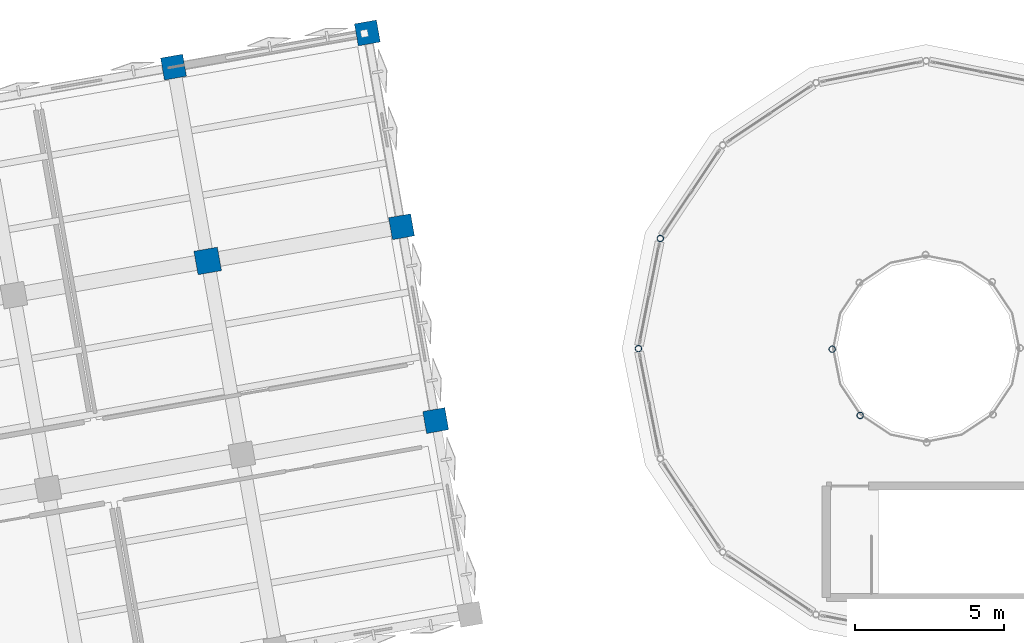
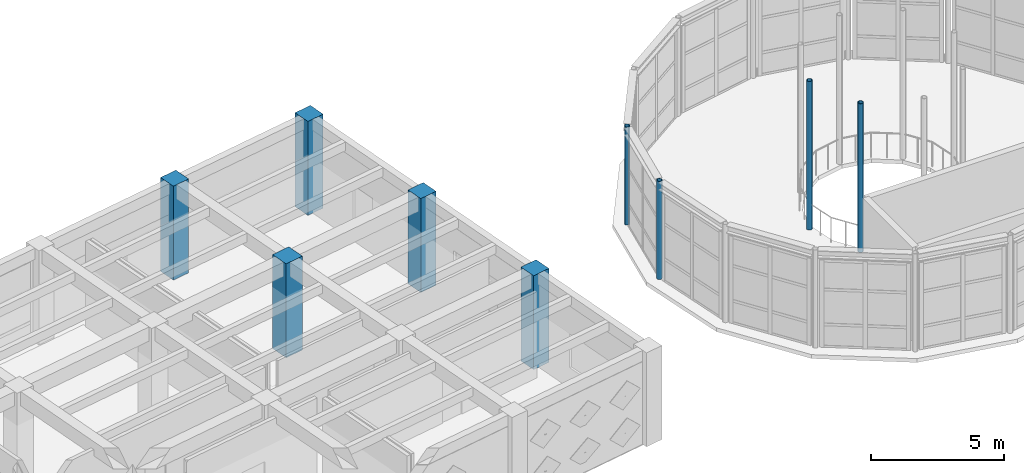
# One storey, part 3 of 80: 9 columns.
"""IFC4 building model written with IfcOpenShell, lengths in metres."""

import ifcopenshell
import ifcopenshell.guid

model = None  # the IFC model being written
_history = None  # IfcOwnerHistory: only IFC2X3 demands one
_inside = {}  # id of a spatial element -> (the spatial element, [elements in it])
_under = {}  # id of a project, library or spatial element -> (it, [spatial elements below it])
_declared = {}  # id of a project -> (the project, [libraries it declares])
_typed = {}  # id of a type object -> (the type object, [elements of that type])
_made_of = {}  # id of a material, layer set ... -> (it, [elements and type objects made of it])


def new_model(schema):
    """Start an empty IFC model of exactly this schema.

    Asked for "IFC4X3", IfcOpenShell would pick the latest addendum, in which some entities
    have other attributes; the version numbers below select the first issue.
    IFC2X3 requires an IfcOwnerHistory on every rooted entity: one is made here for all.
    """
    global model, _history
    if schema == "IFC4X3":
        model = ifcopenshell.file(schema_version=(4, 3, 0, 0))
    else:
        model = ifcopenshell.file(schema=schema)
    _inside.clear()
    _under.clear()
    _declared.clear()
    _typed.clear()
    _made_of.clear()
    _history = None
    if model.schema == "IFC2X3":
        org = make("IfcOrganization", Name="unknown")
        user = make(
            "IfcPersonAndOrganization",
            ThePerson=make("IfcPerson", FamilyName="unknown"),
            TheOrganization=org,
        )
        app = make(
            "IfcApplication",
            ApplicationDeveloper=org,
            Version="unknown",
            ApplicationFullName="unknown",
            ApplicationIdentifier="unknown",
        )
        _history = make(
            "IfcOwnerHistory",
            OwningUser=user,
            OwningApplication=app,
            ChangeAction="ADDED",
            CreationDate=0,
        )
    return model


def make(cls, **values):
    """One entity of the class cls with the attributes given. An attribute that is None is left unset."""
    return model.create_entity(
        cls, **{name: value for name, value in values.items() if value is not None}
    )


def rooted(cls, **values):
    """An entity with a GlobalId (a new one), such as an element, a storey or a relation."""
    return make(cls, GlobalId=ifcopenshell.guid.new(), OwnerHistory=_history, **values)


def si_unit(unit_type, name, prefix=None):
    """IfcSIUnit, for example si_unit("LENGTHUNIT", "METRE", prefix="MILLI")."""
    return make("IfcSIUnit", UnitType=unit_type, Prefix=prefix, Name=name)


def assignment(units):
    """IfcUnitAssignment: the units of a project."""
    return None if units is None else make("IfcUnitAssignment", Units=units)


def point(xyz):
    """IfcCartesianPoint."""
    return None if xyz is None else make("IfcCartesianPoint", Coordinates=xyz)


def direction(xyz):
    """IfcDirection."""
    return None if xyz is None else make("IfcDirection", DirectionRatios=xyz)


def frame(location, z_axis=None, x_axis=None):
    """IfcAxis2Placement3D, a coordinate frame: its origin and axes. An axis left out is left unset."""
    return make(
        "IfcAxis2Placement3D",
        Location=point(location),
        Axis=direction(z_axis),
        RefDirection=direction(x_axis),
    )


def frame_2d(location, x_axis=None):
    """IfcAxis2Placement2D, a coordinate frame in the plane: its origin and x axis."""
    return make(
        "IfcAxis2Placement2D", Location=point(location), RefDirection=direction(x_axis)
    )


def origin():
    """The frame at (0, 0, 0) with its axes left unset."""
    return frame((0.0, 0.0, 0.0))


def origin_2d():
    """The frame at (0, 0) in the plane with its x axis left unset."""
    return frame_2d((0.0, 0.0))


def place(relative_to, where):
    """IfcLocalPlacement: puts the frame where relative to a parent placement (None: the world)."""
    return make(
        "IfcLocalPlacement", PlacementRelTo=relative_to, RelativePlacement=where
    )


def context(
    kind, dimensions, precision=None, world=None, true_north=None, identifier=None
):
    """IfcGeometricRepresentationContext, for example the 3D "Model" context."""
    return make(
        "IfcGeometricRepresentationContext",
        ContextIdentifier=identifier,
        ContextType=kind,
        CoordinateSpaceDimension=dimensions,
        Precision=precision,
        WorldCoordinateSystem=world,
        TrueNorth=true_north,
    )


def subcontext(parent, identifier, kind, view, scale=None):
    """IfcGeometricRepresentationSubContext, for example "Body" below "Model"."""
    return make(
        "IfcGeometricRepresentationSubContext",
        ContextIdentifier=identifier,
        ContextType=kind,
        ParentContext=parent,
        TargetScale=scale,
        TargetView=view,
    )


def project(units=None, contexts=None):
    """IfcProject with its units and contexts."""
    return rooted(
        "IfcProject",
        Name="project",
        RepresentationContexts=contexts,
        UnitsInContext=assignment(units),
    )


def spatial(cls, under=None, at=None, **own):
    """A site, building, storey or space (cls), placed at a placement, below another one or the project."""
    s = rooted(cls, ObjectPlacement=at, **own)
    if under is not None:
        _under.setdefault(under.id(), (under, []))[1].append(s)
    return s


def profile(cls, at=None, kind="AREA", **sizes):
    """A parametric profile (cls). Its sizes go by their IFC names, for example OverallWidth=200.0."""
    return make(cls, ProfileType=kind, Position=at, **sizes)


def rectangle(**sizes):
    """IfcRectangleProfileDef."""
    return profile("IfcRectangleProfileDef", **sizes)


def hollow_circle(**sizes):
    """IfcCircleHollowProfileDef."""
    return profile("IfcCircleHollowProfileDef", **sizes)


def extrude(swept, where, along, depth):
    """IfcExtrudedAreaSolid: the profile swept, set in the frame where, extruded along a direction by depth."""
    return make(
        "IfcExtrudedAreaSolid",
        SweptArea=swept,
        Position=where,
        ExtrudedDirection=direction(along),
        Depth=depth,
    )


def shape(context_of_items, identifier, shape_type, items):
    """IfcShapeRepresentation: the items that make up one representation, for example the "Body"."""
    return make(
        "IfcShapeRepresentation",
        ContextOfItems=context_of_items,
        RepresentationIdentifier=identifier,
        RepresentationType=shape_type,
        Items=items,
    )


def material(Name=None, Category=None):
    """IfcMaterial."""
    return make("IfcMaterial", Name=Name, Category=Category)


def material_profile(
    of_material, cross_section, Name=None, Category=None, Priority=None
):
    """IfcMaterialProfile: a cross section and its material."""
    return make(
        "IfcMaterialProfile",
        Name=Name,
        Material=of_material,
        Profile=cross_section,
        Priority=Priority,
        Category=Category,
    )


def profile_set(profiles, Name=None, composite=None):
    """IfcMaterialProfileSet."""
    return make(
        "IfcMaterialProfileSet",
        Name=Name,
        MaterialProfiles=profiles,
        CompositeProfile=composite,
    )


def made_of(thing, what):
    """Note that an element or type object is made of a material, layer set ...; save() writes the relation."""
    if what is not None:
        _made_of.setdefault(what.id(), (what, []))[1].append(thing)
    return thing


def type_object(cls, material=None, **own):
    """A type object (cls), such as IfcWallType, which elements share."""
    return made_of(rooted(cls, **own), material)


def element(
    cls,
    number,
    at=None,
    inside=None,
    cuts=None,
    type_object=None,
    material=None,
    context=None,
    identifier="Body",
    shape_type=None,
    held_by="IfcProductDefinitionShape",
    body=None,
    shapes=None,
    **own,
):
    """One element of the class cls, such as IfcWall. Its Tag is "e" and its number.

    at: its placement. inside: the storey or other place that contains it. cuts: it is an
    opening in that element (IfcRelVoidsElement). A single representation is given by context,
    identifier, shape_type and body (its items); several are given by shapes. held_by: the class
    of the entity that holds the representations. save() writes the other relations.
    """
    e = rooted(cls, Tag="e%d" % number, ObjectPlacement=at, **own)
    if body is not None:
        shapes = [shape(context, identifier, shape_type, body)]
    if shapes is not None:
        e.Representation = make(held_by, Representations=shapes)
    if inside is not None:
        _inside.setdefault(inside.id(), (inside, []))[1].append(e)
    if cuts is not None:
        rooted(
            "IfcRelVoidsElement", RelatingBuildingElement=cuts, RelatedOpeningElement=e
        )
    if type_object is not None:
        _typed.setdefault(type_object.id(), (type_object, []))[1].append(e)
    return made_of(e, material)


def aggregate(whole, parts):
    """IfcRelAggregates: a whole, such as a stair, and the parts it consists of."""
    return rooted("IfcRelAggregates", RelatingObject=whole, RelatedObjects=parts)


def save(model, path):
    """Write the relations noted so far, then the file.

    IfcRelAggregates (storeys below a building ...), IfcRelContainedInSpatialStructure (elements
    in a storey), IfcRelDefinesByType, IfcRelAssociatesMaterial and IfcRelDeclares: one each for
    every whole, place, type object, material and project.
    """
    for whole, parts in _under.values():
        aggregate(whole, parts)
    for where, things in _inside.values():
        rooted(
            "IfcRelContainedInSpatialStructure",
            RelatedElements=things,
            RelatingStructure=where,
        )
    for kind, things in _typed.values():
        rooted("IfcRelDefinesByType", RelatedObjects=things, RelatingType=kind)
    for what, things in _made_of.values():
        rooted("IfcRelAssociatesMaterial", RelatedObjects=things, RelatingMaterial=what)
    for by, libraries in _declared.values():
        rooted("IfcRelDeclares", RelatingContext=by, RelatedDefinitions=libraries)
    model.write(path)


model = new_model("IFC4")

# Units and contexts
model_context = context("Model", 3, precision=1e-05, world=origin(), true_north=direction((0.0, 1.0)))
body_context = subcontext(model_context, "Body", "Model", "MODEL_VIEW")
ifc_project = project(units=[si_unit("LENGTHUNIT", "METRE"), si_unit("AREAUNIT", "SQUARE_METRE"), si_unit("VOLUMEUNIT", "CUBIC_METRE"), si_unit("PLANEANGLEUNIT", "RADIAN"), si_unit("MASSUNIT", "GRAM", prefix="KILO")], contexts=[model_context])

# Site, building, storey
site_placement = place(None, origin())
site = spatial("IfcSite", under=ifc_project, at=site_placement, CompositionType="ELEMENT")
building_placement = place(site_placement, origin())
building = spatial("IfcBuilding", under=site, at=building_placement, Name="Kharisveld Research Institute", CompositionType="ELEMENT")
storey_placement = place(building_placement, frame((0.0, 0.0, 5.10009765625)))
storey = spatial("IfcBuildingStorey", under=building, at=storey_placement, Name="L01", CompositionType="ELEMENT", Elevation=5.10009765625)

# Columns
ifc_material_1 = material(Name="Concrete C50/60", Category="concrete")
ifc_material_profile_1 = material_profile(ifc_material_1, rectangle(XDim=0.75, YDim=0.75, at=origin_2d()))
ifc_profile_set_1 = profile_set([ifc_material_profile_1], Name="Concrete C50/60")
column_type_1 = type_object("IfcColumnType", Name="COL_RC_750", PredefinedType="COLUMN", material=ifc_profile_set_1)
for number, where, z_axis, x_axis, name in (
    (1, (34.260498046875, 60.239501953125, 0.0), (0.0, 0.0, 1.0), (0.984807753012, 0.173648177667, 0.0), "COL:V1:L01:U5V3"),
    (2, (43.05224609375, 48.38623046875, 0.0), (0.0, 0.0, 1.0), (0.984807753012, 0.173648177667, 0.0), "COL:V1:L01:U6V1"),
    (3, (41.90625, 54.885986328125, 0.0), (0.0, 0.0, 1.0), (0.984807753012, 0.173648177667, 0.0), "COL:V1:L01:U6V2"),
    (4, (40.76025390625, 61.3857421875, 0.0), (0.0, 0.0, 1.0), (0.984807753012, 0.173648177667, 0.0), "COL:V1:L01:U6V3"),
):
    element("IfcColumn", number, at=place(storey_placement, frame(where, z_axis=z_axis, x_axis=x_axis)), inside=storey, type_object=column_type_1, Name=name, PredefinedType="COLUMN", context=body_context, shape_type="SweptSolid", body=[
        extrude(rectangle(XDim=0.75, YDim=0.75, at=origin_2d()), origin(), (0.0, 0.0, 1.0), 4.309814453125),
    ])
ifc_material_2 = material(Name="Concrete C50/60", Category="concrete")
ifc_material_profile_2 = material_profile(ifc_material_2, rectangle(XDim=0.800048828125, YDim=0.800048828125, at=origin_2d()))
ifc_profile_set_2 = profile_set([ifc_material_profile_2], Name="Concrete C50/60")
column_type_2 = type_object("IfcColumnType", Name="COL_RC_800", PredefinedType="COLUMN", material=ifc_profile_set_2)
column_placement = place(storey_placement, frame((35.406494140625, 53.73974609375, 0.0), z_axis=(0.0, 0.0, 1.0), x_axis=(0.984807753012, 0.173648177667, 0.0)))
element("IfcColumn", 5, at=column_placement, inside=storey, type_object=column_type_2, Name="COL:V1:L01:U5V2", PredefinedType="COLUMN", context=body_context, shape_type="SweptSolid", body=[
    extrude(rectangle(XDim=0.800048828125, YDim=0.800048828125, at=origin_2d()), origin(), (0.0, 0.0, 1.0), 4.309814453125),
])
ifc_material_3 = material(Name="Steel S355J2H", Category="steel")
ifc_material_profile_3 = material_profile(ifc_material_3, hollow_circle(Radius=0.109619140625, WallThickness=0.010009765625, at=origin_2d()))
ifc_profile_set_3 = profile_set([ifc_material_profile_3], Name="Steel S355J2H")
column_type_3 = type_object("IfcColumnType", Name="COL_ST_CHS219", PredefinedType="COLUMN", material=ifc_profile_set_3)
for number, where, z_axis, x_axis, name in (
    (6, (50.58447265625, 54.492919921875, 0.0), (0.0, 0.0, 1.0), (1.0, 0.0, 0.0), "COL:V6:L01:R07"),
    (7, (49.85009765625, 50.800048828125, 0.0), (0.0, 0.0, 1.0), (1.0, 0.0, 0.0), "COL:V6:L01:R08"),
):
    element("IfcColumn", number, at=place(storey_placement, frame(where, z_axis=z_axis, x_axis=x_axis)), inside=storey, type_object=column_type_3, Name=name, PredefinedType="COLUMN", context=body_context, shape_type="SweptSolid", body=[
        extrude(hollow_circle(Radius=0.109619140625, WallThickness=0.010009765625, at=origin_2d()), origin(), (0.0, 0.0, 1.0), 4.5),
    ])
for number, where, z_axis, x_axis, name in (
    (8, (56.35009765625, 50.78076171875, 0.0), (0.0, 0.0, 1.0), (1.0, 0.0, 0.0), "COL:V6:L01:OC08"),
    (9, (57.286376953125, 48.55908203125, 0.0), (0.0, 0.0, 1.0), (1.0, 0.0, 0.0), "COL:V6:L01:OC10"),
):
    element("IfcColumn", number, at=place(storey_placement, frame(where, z_axis=z_axis, x_axis=x_axis)), inside=storey, type_object=column_type_3, Name=name, PredefinedType="COLUMN", context=body_context, shape_type="SweptSolid", body=[
        extrude(hollow_circle(Radius=0.109619140625, WallThickness=0.010009765625, at=origin_2d()), origin(), (0.0, 0.0, 1.0), 6.81982421875),
    ])

save(model, "model.ifc")
